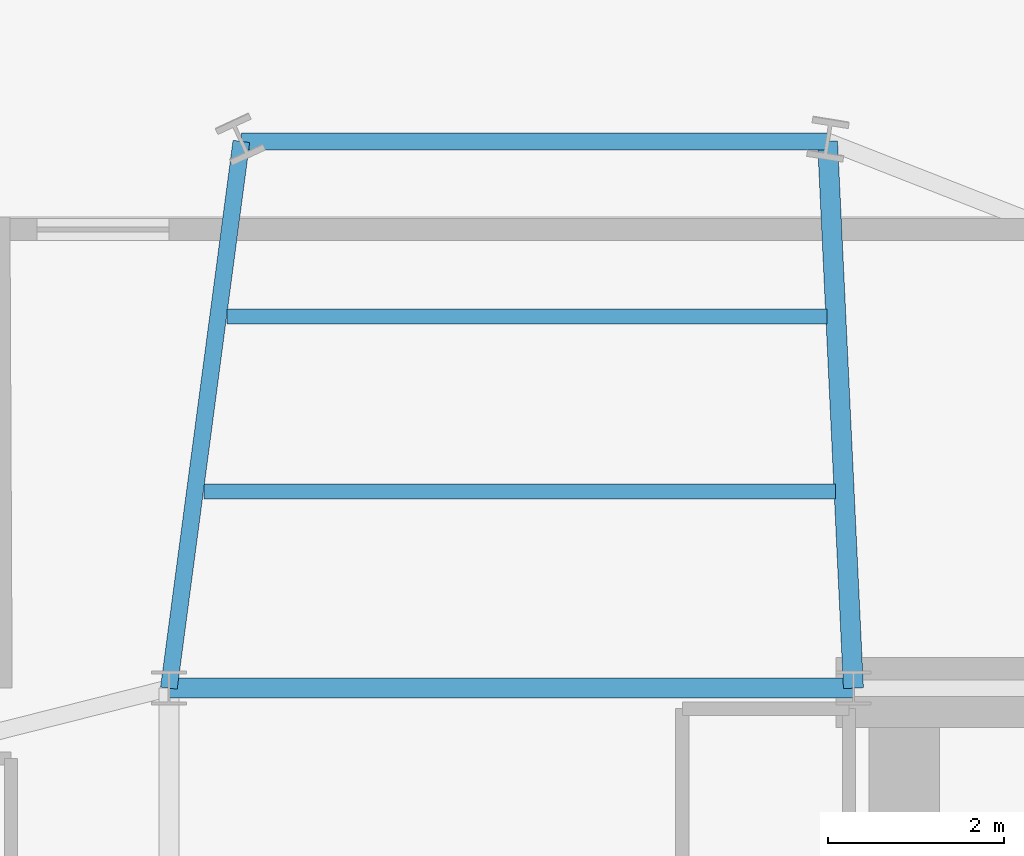
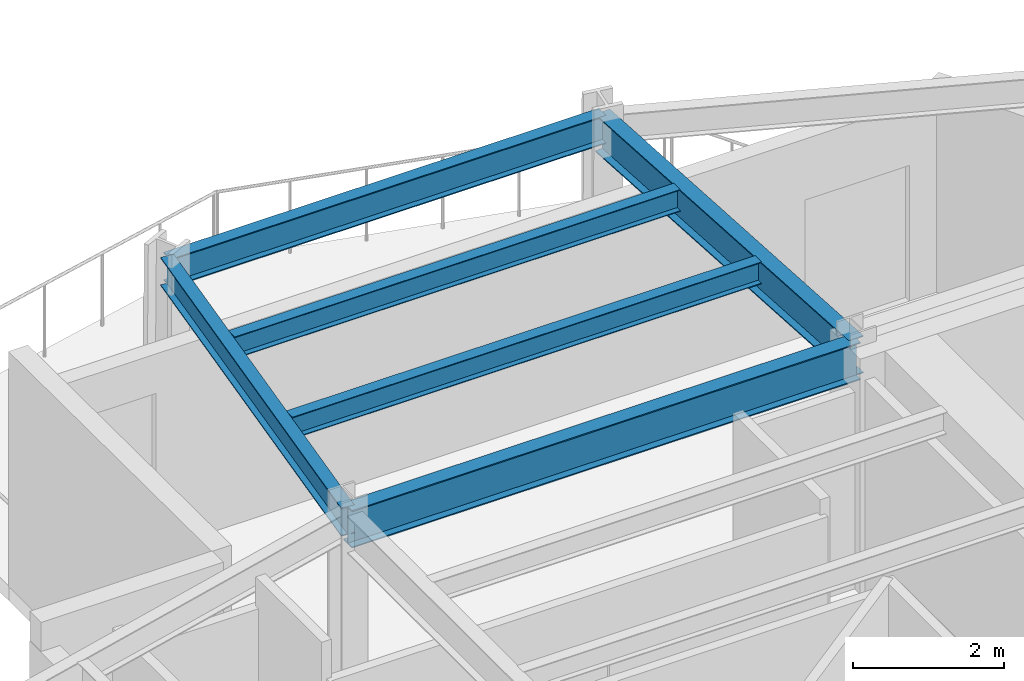
# One storey, part 12 of 23: 6 beams.
"""IFC4 building model written with IfcOpenShell, lengths in metres."""

from ifc_helpers import new_model, si_unit, direction, frame, origin, origin_2d, place, context, subcontext, project, spatial, i_section, extrude, material, material_profile, profile_set, type_object, element, save


model = new_model("IFC4")

# Units and contexts
model_context = context("Model", 3, precision=1e-05, world=origin(), true_north=direction((0.0, 1.0)))
body_context = subcontext(model_context, "Body", "Model", "MODEL_VIEW")
ifc_project = project(units=[si_unit("LENGTHUNIT", "METRE"), si_unit("AREAUNIT", "SQUARE_METRE"), si_unit("VOLUMEUNIT", "CUBIC_METRE"), si_unit("PLANEANGLEUNIT", "RADIAN"), si_unit("MASSUNIT", "GRAM", prefix="KILO")], contexts=[model_context])

# Site, building, storey
site_placement = place(None, origin())
site = spatial("IfcSite", under=ifc_project, at=site_placement, CompositionType="ELEMENT")
building_placement = place(site_placement, origin())
building = spatial("IfcBuilding", under=site, at=building_placement, Name="Veymaron Broadcast Tower", CompositionType="ELEMENT")
storey_placement = place(building_placement, frame((0.0, 0.0, 161.39990234375)))
storey = spatial("IfcBuildingStorey", under=building, at=storey_placement, Name="L37", CompositionType="ELEMENT", Elevation=161.39990234375)

# Beams
ifc_material = material(Name="Structural steel ASTM A992 Gr 50", Category="steel")
ifc_material_profile_1 = material_profile(ifc_material, i_section(OverallWidth=0.22802734375, OverallDepth=0.60791015625, WebThickness=0.01123046875, FlangeThickness=0.017333984375, at=origin_2d()), Name="W610X113")
ifc_profile_set_1 = profile_set([ifc_material_profile_1], Name="Structural steel ASTM A992 Gr 50")
beam_type_1 = type_object("IfcBeamType", Name="BM-FG2", PredefinedType="BEAM", material=ifc_profile_set_1)
beam_1_placement = place(storey_placement, frame((31.199951171875, 32.0, 3.506103515625), z_axis=(1.0, 0.0, 0.0), x_axis=(0.0, 1.0, 0.0)))
element("IfcBeam", 1, at=beam_1_placement, inside=storey, type_object=beam_type_1, Name="L37 primary structural floor girder", PredefinedType="BEAM", context=body_context, shape_type="SweptSolid", body=[
    extrude(i_section(OverallWidth=0.22802734375, OverallDepth=0.60791015625, WebThickness=0.01123046875, FlangeThickness=0.017333984375, at=origin_2d()), origin(), (0.0, 0.0, 1.0), 7.800048828125),
])
beam_2_placement = place(storey_placement, frame((39.0, 32.0, 3.506103515625), z_axis=(-0.047286178802, 0.998881382995, 0.0), x_axis=(-0.998881382995, -0.047286178802, 0.0)))
element("IfcBeam", 2, at=beam_2_placement, inside=storey, type_object=beam_type_1, Name="L37 primary structural floor girder", PredefinedType="BEAM", context=body_context, shape_type="SweptSolid", body=[
    extrude(i_section(OverallWidth=0.22802734375, OverallDepth=0.60791015625, WebThickness=0.01123046875, FlangeThickness=0.017333984375, at=origin_2d()), origin(), (0.0, 0.0, 1.0), 6.237060546875),
])
ifc_material_profile_2 = material_profile(ifc_material, i_section(OverallWidth=0.1708984375, OverallDepth=0.35498046875, WebThickness=0.007080078125, FlangeThickness=0.01171875, at=origin_2d()), Name="W360X51")
ifc_profile_set_2 = profile_set([ifc_material_profile_2], Name="Structural steel ASTM A992 Gr 50")
beam_type_2 = type_object("IfcBeamType", Name="BM-JS2", PredefinedType="JOIST", material=ifc_profile_set_2)
beam_3_placement = place(storey_placement, frame((31.597412109375, 34.242919921875, 3.632568359375), z_axis=(1.0, 0.0, 0.0), x_axis=(0.0, 1.0, 0.0)))
element("IfcBeam", 3, at=beam_3_placement, inside=storey, type_object=beam_type_2, Name="L37 Arm-B secondary joist 1", PredefinedType="JOIST", context=body_context, shape_type="SweptSolid", body=[
    extrude(i_section(OverallWidth=0.1708984375, OverallDepth=0.35498046875, WebThickness=0.007080078125, FlangeThickness=0.01171875, at=origin_2d()), origin(), (0.0, 0.0, 1.0), 7.1962890625),
])
beam_4_placement = place(storey_placement, frame((31.86181640625, 36.236328125, 3.632568359375), z_axis=(1.0, 0.0, 0.0), x_axis=(0.0, 1.0, 0.0)))
element("IfcBeam", 4, at=beam_4_placement, inside=storey, type_object=beam_type_2, Name="L37 Arm-B secondary joist 2", PredefinedType="JOIST", context=body_context, shape_type="SweptSolid", body=[
    extrude(i_section(OverallWidth=0.1708984375, OverallDepth=0.35498046875, WebThickness=0.007080078125, FlangeThickness=0.01171875, at=origin_2d()), origin(), (0.0, 0.0, 1.0), 6.837646484375),
])
ifc_material_profile_3 = material_profile(ifc_material, i_section(OverallWidth=0.19091796875, OverallDepth=0.4599609375, WebThickness=0.010009765625, FlangeThickness=0.01611328125, at=origin_2d()), Name="W460X82")
ifc_profile_set_3 = profile_set([ifc_material_profile_3], Name="Structural steel ASTM A992 Gr 50")
beam_type_3 = type_object("IfcBeamType", Name="BM-SP1", PredefinedType="SPANDREL", material=ifc_profile_set_3)
beam_5_placement = place(storey_placement, frame((31.199951171875, 32.0, 3.580078125), z_axis=(0.131423193916, 0.991326356, 0.0), x_axis=(-0.991326356, 0.131423193916, 0.0)))
element("IfcBeam", 5, at=beam_5_placement, inside=storey, type_object=beam_type_3, Name="L37 primary structural floor girder", PredefinedType="SPANDREL", context=body_context, shape_type="SweptSolid", body=[
    extrude(i_section(OverallWidth=0.19091796875, OverallDepth=0.4599609375, WebThickness=0.010009765625, FlangeThickness=0.01611328125, at=origin_2d()), origin(), (0.0, 0.0, 1.0), 6.284423828125),
])
beam_6_placement = place(storey_placement, frame((32.02587890625, 38.22998046875, 3.580078125), z_axis=(1.0, 0.0, 0.0), x_axis=(0.0, 1.0, 0.0)))
element("IfcBeam", 6, at=beam_6_placement, inside=storey, type_object=beam_type_3, Name="L37 primary structural floor girder", PredefinedType="SPANDREL", context=body_context, shape_type="SweptSolid", body=[
    extrude(i_section(OverallWidth=0.19091796875, OverallDepth=0.4599609375, WebThickness=0.010009765625, FlangeThickness=0.01611328125, at=origin_2d()), origin(), (0.0, 0.0, 1.0), 6.67919921875),
])

save(model, "model.ifc")
